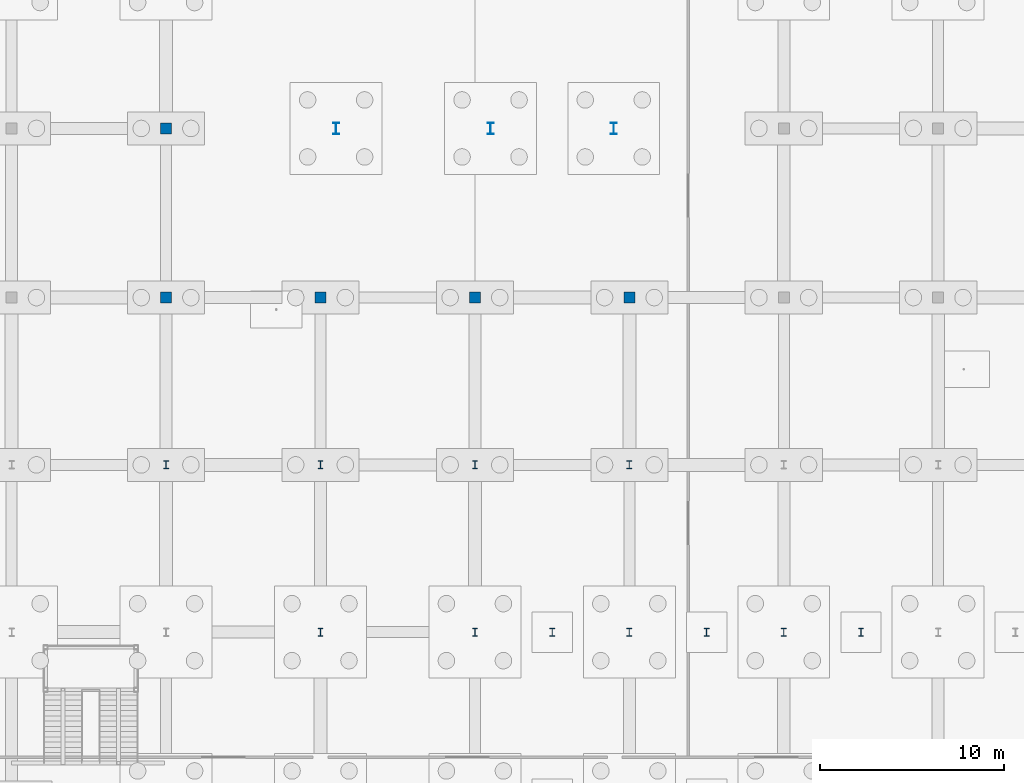
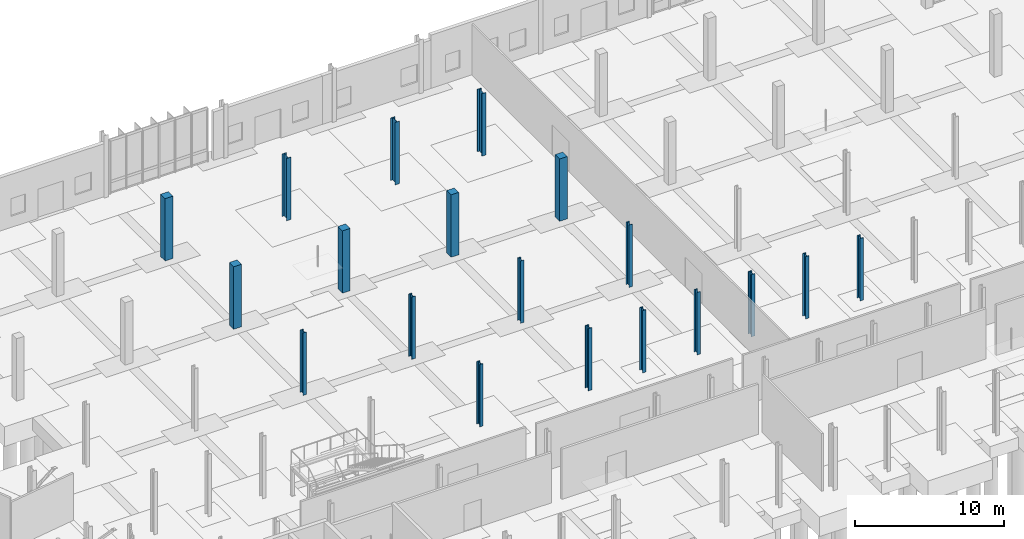
# One storey, part 21 of 119: 19 columns.
"""IFC4 building model written with IfcOpenShell, lengths in metres."""

import ifcopenshell
import ifcopenshell.guid

model = None  # the IFC model being written
_history = None  # IfcOwnerHistory: only IFC2X3 demands one
_inside = {}  # id of a spatial element -> (the spatial element, [elements in it])
_under = {}  # id of a project, library or spatial element -> (it, [spatial elements below it])
_declared = {}  # id of a project -> (the project, [libraries it declares])
_typed = {}  # id of a type object -> (the type object, [elements of that type])
_made_of = {}  # id of a material, layer set ... -> (it, [elements and type objects made of it])


def new_model(schema):
    """Start an empty IFC model of exactly this schema.

    Asked for "IFC4X3", IfcOpenShell would pick the latest addendum, in which some entities
    have other attributes; the version numbers below select the first issue.
    IFC2X3 requires an IfcOwnerHistory on every rooted entity: one is made here for all.
    """
    global model, _history
    if schema == "IFC4X3":
        model = ifcopenshell.file(schema_version=(4, 3, 0, 0))
    else:
        model = ifcopenshell.file(schema=schema)
    _inside.clear()
    _under.clear()
    _declared.clear()
    _typed.clear()
    _made_of.clear()
    _history = None
    if model.schema == "IFC2X3":
        org = make("IfcOrganization", Name="unknown")
        user = make(
            "IfcPersonAndOrganization",
            ThePerson=make("IfcPerson", FamilyName="unknown"),
            TheOrganization=org,
        )
        app = make(
            "IfcApplication",
            ApplicationDeveloper=org,
            Version="unknown",
            ApplicationFullName="unknown",
            ApplicationIdentifier="unknown",
        )
        _history = make(
            "IfcOwnerHistory",
            OwningUser=user,
            OwningApplication=app,
            ChangeAction="ADDED",
            CreationDate=0,
        )
    return model


def make(cls, **values):
    """One entity of the class cls with the attributes given. An attribute that is None is left unset."""
    return model.create_entity(
        cls, **{name: value for name, value in values.items() if value is not None}
    )


def rooted(cls, **values):
    """An entity with a GlobalId (a new one), such as an element, a storey or a relation."""
    return make(cls, GlobalId=ifcopenshell.guid.new(), OwnerHistory=_history, **values)


def si_unit(unit_type, name, prefix=None):
    """IfcSIUnit, for example si_unit("LENGTHUNIT", "METRE", prefix="MILLI")."""
    return make("IfcSIUnit", UnitType=unit_type, Prefix=prefix, Name=name)


def derived_unit(unit_type, elements):
    """IfcDerivedUnit: a product of units, each with its exponent."""
    return make(
        "IfcDerivedUnit",
        Elements=[
            make("IfcDerivedUnitElement", Unit=unit, Exponent=power)
            for unit, power in elements
        ],
        UnitType=unit_type,
    )


def assignment(units):
    """IfcUnitAssignment: the units of a project."""
    return None if units is None else make("IfcUnitAssignment", Units=units)


def point(xyz):
    """IfcCartesianPoint."""
    return None if xyz is None else make("IfcCartesianPoint", Coordinates=xyz)


def direction(xyz):
    """IfcDirection."""
    return None if xyz is None else make("IfcDirection", DirectionRatios=xyz)


def frame(location, z_axis=None, x_axis=None):
    """IfcAxis2Placement3D, a coordinate frame: its origin and axes. An axis left out is left unset."""
    return make(
        "IfcAxis2Placement3D",
        Location=point(location),
        Axis=direction(z_axis),
        RefDirection=direction(x_axis),
    )


def frame_2d(location, x_axis=None):
    """IfcAxis2Placement2D, a coordinate frame in the plane: its origin and x axis."""
    return make(
        "IfcAxis2Placement2D", Location=point(location), RefDirection=direction(x_axis)
    )


def origin():
    """The frame at (0, 0, 0) with its axes left unset."""
    return frame((0.0, 0.0, 0.0))


def origin_2d():
    """The frame at (0, 0) in the plane with its x axis left unset."""
    return frame_2d((0.0, 0.0))


def place(relative_to, where):
    """IfcLocalPlacement: puts the frame where relative to a parent placement (None: the world)."""
    return make(
        "IfcLocalPlacement", PlacementRelTo=relative_to, RelativePlacement=where
    )


def context(
    kind, dimensions, precision=None, world=None, true_north=None, identifier=None
):
    """IfcGeometricRepresentationContext, for example the 3D "Model" context."""
    return make(
        "IfcGeometricRepresentationContext",
        ContextIdentifier=identifier,
        ContextType=kind,
        CoordinateSpaceDimension=dimensions,
        Precision=precision,
        WorldCoordinateSystem=world,
        TrueNorth=true_north,
    )


def subcontext(parent, identifier, kind, view, scale=None):
    """IfcGeometricRepresentationSubContext, for example "Body" below "Model"."""
    return make(
        "IfcGeometricRepresentationSubContext",
        ContextIdentifier=identifier,
        ContextType=kind,
        ParentContext=parent,
        TargetScale=scale,
        TargetView=view,
    )


def project(units=None, contexts=None):
    """IfcProject with its units and contexts."""
    return rooted(
        "IfcProject",
        Name="project",
        RepresentationContexts=contexts,
        UnitsInContext=assignment(units),
    )


def spatial(cls, under=None, at=None, **own):
    """A site, building, storey or space (cls), placed at a placement, below another one or the project."""
    s = rooted(cls, ObjectPlacement=at, **own)
    if under is not None:
        _under.setdefault(under.id(), (under, []))[1].append(s)
    return s


def profile(cls, at=None, kind="AREA", **sizes):
    """A parametric profile (cls). Its sizes go by their IFC names, for example OverallWidth=200.0."""
    return make(cls, ProfileType=kind, Position=at, **sizes)


def rectangle(**sizes):
    """IfcRectangleProfileDef."""
    return profile("IfcRectangleProfileDef", **sizes)


def i_section(**sizes):
    """IfcIShapeProfileDef."""
    return profile("IfcIShapeProfileDef", **sizes)


def extrude(swept, where, along, depth):
    """IfcExtrudedAreaSolid: the profile swept, set in the frame where, extruded along a direction by depth."""
    return make(
        "IfcExtrudedAreaSolid",
        SweptArea=swept,
        Position=where,
        ExtrudedDirection=direction(along),
        Depth=depth,
    )


def shape(context_of_items, identifier, shape_type, items):
    """IfcShapeRepresentation: the items that make up one representation, for example the "Body"."""
    return make(
        "IfcShapeRepresentation",
        ContextOfItems=context_of_items,
        RepresentationIdentifier=identifier,
        RepresentationType=shape_type,
        Items=items,
    )


def material(Name=None, Category=None):
    """IfcMaterial."""
    return make("IfcMaterial", Name=Name, Category=Category)


def material_profile(
    of_material, cross_section, Name=None, Category=None, Priority=None
):
    """IfcMaterialProfile: a cross section and its material."""
    return make(
        "IfcMaterialProfile",
        Name=Name,
        Material=of_material,
        Profile=cross_section,
        Priority=Priority,
        Category=Category,
    )


def profile_set(profiles, Name=None, composite=None):
    """IfcMaterialProfileSet."""
    return make(
        "IfcMaterialProfileSet",
        Name=Name,
        MaterialProfiles=profiles,
        CompositeProfile=composite,
    )


def made_of(thing, what):
    """Note that an element or type object is made of a material, layer set ...; save() writes the relation."""
    if what is not None:
        _made_of.setdefault(what.id(), (what, []))[1].append(thing)
    return thing


def type_object(cls, material=None, **own):
    """A type object (cls), such as IfcWallType, which elements share."""
    return made_of(rooted(cls, **own), material)


def element(
    cls,
    number,
    at=None,
    inside=None,
    cuts=None,
    type_object=None,
    material=None,
    context=None,
    identifier="Body",
    shape_type=None,
    held_by="IfcProductDefinitionShape",
    body=None,
    shapes=None,
    **own,
):
    """One element of the class cls, such as IfcWall. Its Tag is "e" and its number.

    at: its placement. inside: the storey or other place that contains it. cuts: it is an
    opening in that element (IfcRelVoidsElement). A single representation is given by context,
    identifier, shape_type and body (its items); several are given by shapes. held_by: the class
    of the entity that holds the representations. save() writes the other relations.
    """
    e = rooted(cls, Tag="e%d" % number, ObjectPlacement=at, **own)
    if body is not None:
        shapes = [shape(context, identifier, shape_type, body)]
    if shapes is not None:
        e.Representation = make(held_by, Representations=shapes)
    if inside is not None:
        _inside.setdefault(inside.id(), (inside, []))[1].append(e)
    if cuts is not None:
        rooted(
            "IfcRelVoidsElement", RelatingBuildingElement=cuts, RelatedOpeningElement=e
        )
    if type_object is not None:
        _typed.setdefault(type_object.id(), (type_object, []))[1].append(e)
    return made_of(e, material)


def aggregate(whole, parts):
    """IfcRelAggregates: a whole, such as a stair, and the parts it consists of."""
    return rooted("IfcRelAggregates", RelatingObject=whole, RelatedObjects=parts)


def save(model, path):
    """Write the relations noted so far, then the file.

    IfcRelAggregates (storeys below a building ...), IfcRelContainedInSpatialStructure (elements
    in a storey), IfcRelDefinesByType, IfcRelAssociatesMaterial and IfcRelDeclares: one each for
    every whole, place, type object, material and project.
    """
    for whole, parts in _under.values():
        aggregate(whole, parts)
    for where, things in _inside.values():
        rooted(
            "IfcRelContainedInSpatialStructure",
            RelatedElements=things,
            RelatingStructure=where,
        )
    for kind, things in _typed.values():
        rooted("IfcRelDefinesByType", RelatedObjects=things, RelatingType=kind)
    for what, things in _made_of.values():
        rooted("IfcRelAssociatesMaterial", RelatedObjects=things, RelatingMaterial=what)
    for by, libraries in _declared.values():
        rooted("IfcRelDeclares", RelatingContext=by, RelatedDefinitions=libraries)
    model.write(path)


model = new_model("IFC4")

# Units and contexts
model_context = context("Model", 3, precision=1e-05, world=origin(), true_north=direction((0.0, 1.0)))
body_context = subcontext(model_context, "Body", "Model", "MODEL_VIEW")
ifc_project = project(units=[si_unit("LENGTHUNIT", "METRE"), si_unit("AREAUNIT", "SQUARE_METRE"), si_unit("VOLUMEUNIT", "CUBIC_METRE"), si_unit("PLANEANGLEUNIT", "RADIAN"), si_unit("MASSUNIT", "GRAM", prefix="KILO"), derived_unit("THERMALTRANSMITTANCEUNIT", [(si_unit("MASSUNIT", "GRAM", prefix="KILO"), 1), (si_unit("TIMEUNIT", "SECOND"), -3), (si_unit("THERMODYNAMICTEMPERATUREUNIT", "KELVIN"), -1)])], contexts=[model_context])

# Site, building, storey
site_placement = place(None, origin())
site = spatial("IfcSite", under=ifc_project, at=site_placement, CompositionType="ELEMENT")
building_placement = place(site_placement, origin())
building = spatial("IfcBuilding", under=site, at=building_placement, Name="Makaiwela Harbour Ferry Terminal", CompositionType="ELEMENT")
storey_placement = place(building_placement, origin())
storey = spatial("IfcBuildingStorey", under=building, at=storey_placement, Name="L00", CompositionType="ELEMENT", Elevation=0.0)

# Columns
ifc_material_1 = material(Name="Concrete f'c 45 MPa (6500 psi)", Category="concrete")
ifc_material_profile_1 = material_profile(ifc_material_1, rectangle(XDim=0.60009765625, YDim=0.60009765625, at=origin_2d()), Name="RC-600X600")
ifc_profile_set_1 = profile_set([ifc_material_profile_1], Name="Concrete f'c 45 MPa (6500 psi)")
column_type_1 = type_object("IfcColumnType", Name="STR-COL-RC600", PredefinedType="COLUMN", material=ifc_profile_set_1)
for number, where, z_axis, x_axis, name in (
    (1, (79.800048828125, 85.800048828125, 0.0), (0.0, 0.0, 1.0), (1.0, 0.0, 0.0), "Structural Column C-09"),
    (2, (79.800048828125, 95.0, 0.0), (0.0, 0.0, 1.0), (1.0, 0.0, 0.0), "Structural Column C-09"),
    (3, (88.199951171875, 85.800048828125, 0.0), (0.0, 0.0, 1.0), (1.0, 0.0, 0.0), "Structural Column C-09"),
    (4, (96.60009765625, 85.800048828125, 0.0), (0.0, 0.0, 1.0), (1.0, 0.0, 0.0), "Structural Column C-09"),
    (5, (105.0, 85.800048828125, 0.0), (0.0, 0.0, 1.0), (1.0, 0.0, 0.0), "Structural Column C-09"),
):
    element("IfcColumn", number, at=place(storey_placement, frame(where, z_axis=z_axis, x_axis=x_axis)), inside=storey, type_object=column_type_1, Name=name, PredefinedType="COLUMN", context=body_context, shape_type="SweptSolid", body=[
        extrude(rectangle(XDim=0.60009765625, YDim=0.60009765625, at=origin_2d()), origin(), (0.0, 0.0, 1.0), 5.10009765625),
    ])
ifc_material_2 = material(Name="Steel ASTM A992 Grade 50", Category="steel")
ifc_material_profile_2 = material_profile(ifc_material_2, i_section(OverallWidth=0.264892578125, OverallDepth=0.430908203125, WebThickness=0.014892578125, FlangeThickness=0.02490234375, at=origin_2d()), Name="W16X100")
ifc_profile_set_2 = profile_set([ifc_material_profile_2], Name="Steel ASTM A992 Grade 50")
column_type_2 = type_object("IfcColumnType", Name="STR-COL-W16X100", PredefinedType="COLUMN", material=ifc_profile_set_2)
for number, where, z_axis, x_axis, name in (
    (6, (79.800048828125, 76.699951171875, 0.0), (0.0, 0.0, 1.0), (1.0, 0.0, 0.0), "Structural Column C-03"),
    (7, (88.199951171875, 67.60009765625, 0.0), (0.0, 0.0, 1.0), (1.0, 0.0, 0.0), "Structural Column C-03"),
    (8, (88.199951171875, 76.699951171875, 0.0), (0.0, 0.0, 1.0), (1.0, 0.0, 0.0), "Structural Column C-03"),
    (9, (96.60009765625, 67.60009765625, 0.0), (0.0, 0.0, 1.0), (1.0, 0.0, 0.0), "Structural Column C-03"),
    (10, (96.60009765625, 76.699951171875, 0.0), (0.0, 0.0, 1.0), (1.0, 0.0, 0.0), "Structural Column C-03"),
    (11, (105.0, 67.60009765625, 0.0), (0.0, 0.0, 1.0), (1.0, 0.0, 0.0), "Structural Column C-03"),
    (12, (105.0, 76.699951171875, 0.0), (0.0, 0.0, 1.0), (1.0, 0.0, 0.0), "Structural Column C-03"),
    (13, (113.39990234375, 67.60009765625, 0.0), (0.0, 0.0, 1.0), (1.0, 0.0, 0.0), "Structural Column C-03"),
    (14, (100.800048828125, 67.60009765625, 0.0), (0.0, 0.0, 1.0), (1.0, 0.0, 0.0), "Structural Column C-03"),
    (15, (109.199951171875, 67.60009765625, 0.0), (0.0, 0.0, 1.0), (1.0, 0.0, 0.0), "Structural Column C-03"),
    (16, (117.60009765625, 67.60009765625, 0.0), (0.0, 0.0, 1.0), (1.0, 0.0, 0.0), "Structural Column C-03"),
):
    element("IfcColumn", number, at=place(storey_placement, frame(where, z_axis=z_axis, x_axis=x_axis)), inside=storey, type_object=column_type_2, Name=name, PredefinedType="COLUMN", context=body_context, shape_type="SweptSolid", body=[
        extrude(i_section(OverallWidth=0.264892578125, OverallDepth=0.430908203125, WebThickness=0.014892578125, FlangeThickness=0.02490234375, at=origin_2d()), origin(), (0.0, 0.0, 1.0), 5.10009765625),
    ])
ifc_material_profile_3 = material_profile(ifc_material_2, i_section(OverallWidth=0.327880859375, OverallDepth=0.6279296875, WebThickness=0.0166015625, FlangeThickness=0.027587890625, at=origin_2d()), Name="W24X146")
ifc_profile_set_3 = profile_set([ifc_material_profile_3], Name="Steel ASTM A992 Grade 50")
column_type_3 = type_object("IfcColumnType", Name="STR-COL-W24X146", PredefinedType="COLUMN", material=ifc_profile_set_3)
for number, where, z_axis, x_axis, name in (
    (17, (89.050048828125, 95.0, 0.0), (0.0, 0.0, 1.0), (1.0, 0.0, 0.0), "Structural Column C-01"),
    (18, (97.449951171875, 95.0, 0.0), (0.0, 0.0, 1.0), (1.0, 0.0, 0.0), "Structural Column C-01"),
    (19, (104.14990234375, 95.0, 0.0), (0.0, 0.0, 1.0), (1.0, 0.0, 0.0), "Structural Column C-01"),
):
    element("IfcColumn", number, at=place(storey_placement, frame(where, z_axis=z_axis, x_axis=x_axis)), inside=storey, type_object=column_type_3, Name=name, PredefinedType="COLUMN", context=body_context, shape_type="SweptSolid", body=[
        extrude(i_section(OverallWidth=0.327880859375, OverallDepth=0.6279296875, WebThickness=0.0166015625, FlangeThickness=0.027587890625, at=origin_2d()), origin(), (0.0, 0.0, 1.0), 5.10009765625),
    ])

save(model, "model.ifc")
